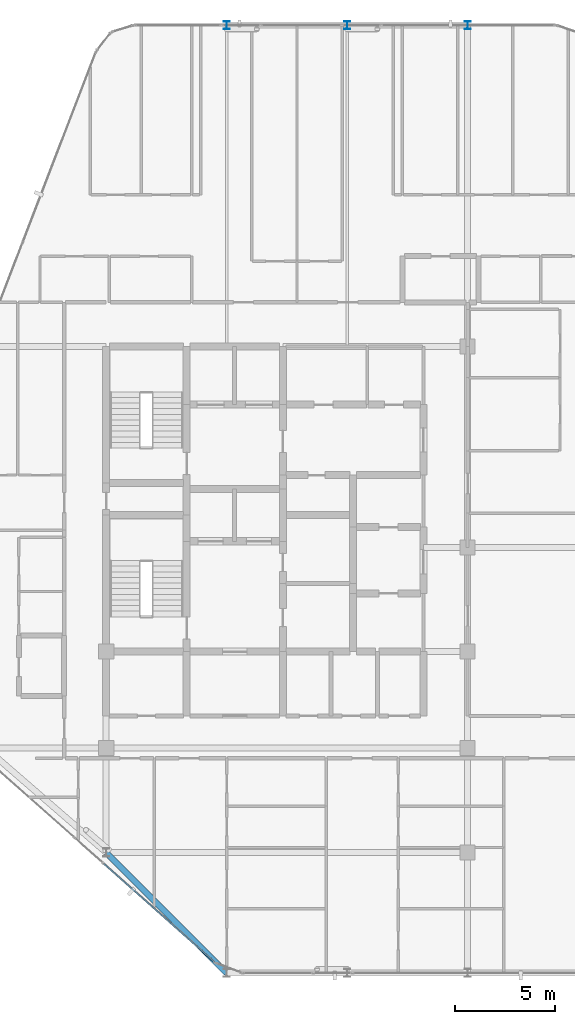
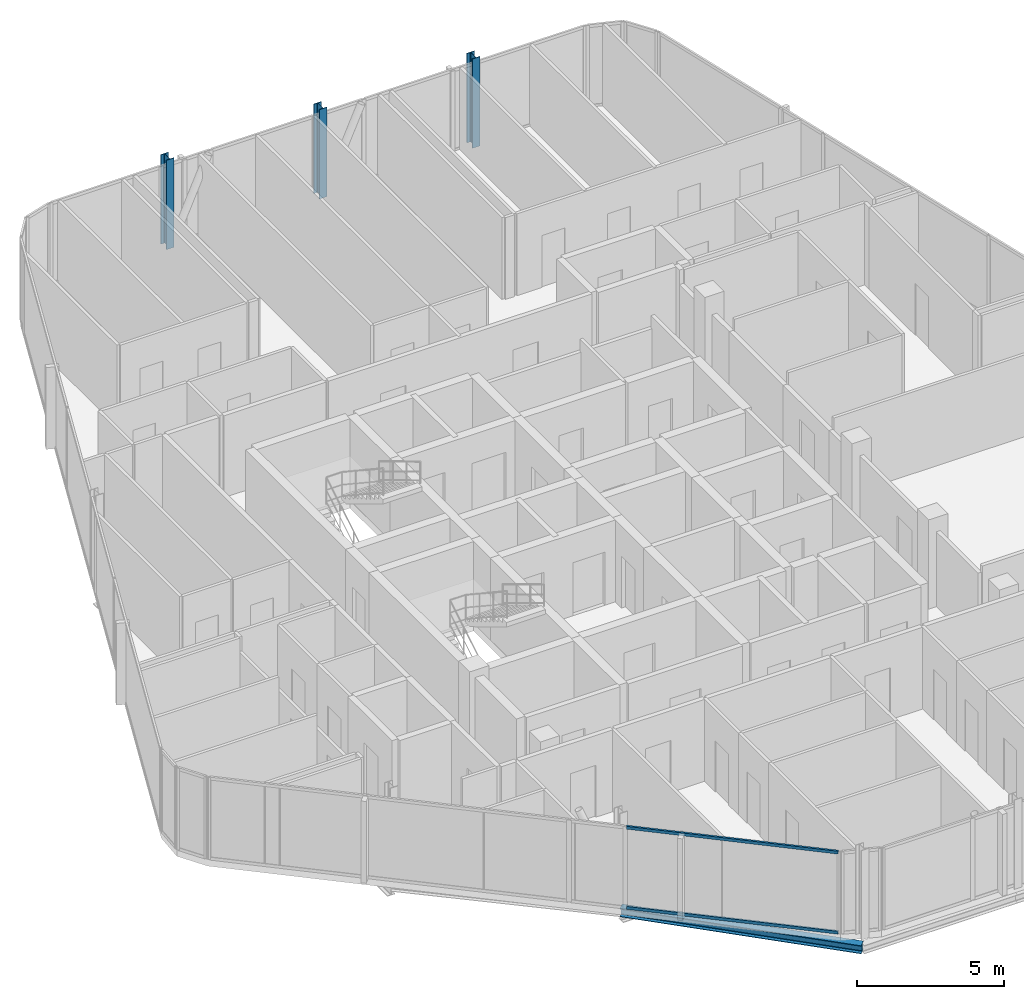
# One storey, part 2 of 28: 3 columns, 2 members, 1 beam, 1 element without a shape of its own.
"""IFC4 building model written with IfcOpenShell, lengths in metres."""

from ifc_helpers import new_model, si_unit, direction, frame, origin, origin_2d, place, context, subcontext, project, spatial, hollow_rectangle, i_section, extrude, material, layer, layer_set, material_profile, profile_set, type_object, element, aggregate, save


model = new_model("IFC4")

# Units and contexts
model_context = context("Model", 3, precision=1e-05, world=origin(), true_north=direction((0.0, 1.0)))
body_context = subcontext(model_context, "Body", "Model", "MODEL_VIEW")
ifc_project = project(units=[si_unit("LENGTHUNIT", "METRE"), si_unit("AREAUNIT", "SQUARE_METRE"), si_unit("VOLUMEUNIT", "CUBIC_METRE"), si_unit("PLANEANGLEUNIT", "RADIAN"), si_unit("MASSUNIT", "GRAM", prefix="KILO")], contexts=[model_context])

# Site, building, storey
site_placement = place(None, origin())
site = spatial("IfcSite", under=ifc_project, at=site_placement, CompositionType="ELEMENT")
building_placement = place(site_placement, origin())
building = spatial("IfcBuilding", under=site, at=building_placement, Name="Keshet Zoharim Tower", CompositionType="ELEMENT")
storey_placement = place(building_placement, frame((0.0, 0.0, 251.0)))
storey = spatial("IfcBuildingStorey", under=building, at=storey_placement, Name="L62", CompositionType="ELEMENT", Elevation=251.0)

# Columns
ifc_material_1 = material(Name="Steel S355", Category="steel")
ifc_material_profile_1 = material_profile(ifc_material_1, i_section(OverallWidth=0.300048828125, OverallDepth=0.39990234375, WebThickness=0.013427734375, FlangeThickness=0.02392578125, FilletRadius=0.027099609375, at=origin_2d()), Name="HEB400")
ifc_profile_set_1 = profile_set([ifc_material_profile_1], Name="Steel S355")
column_type = type_object("IfcColumnType", Name="COL-HEB400", PredefinedType="COLUMN", material=ifc_profile_set_1)
for number, where, z_axis, x_axis, name in (
    (1, (21.0, 53.89990234375, 0.0), (0.0, 0.0, 1.0), (1.0, 0.0, 0.0), "L62 Column 4L"),
    (2, (27.0, 53.89990234375, 0.0), (0.0, 0.0, 1.0), (1.0, 0.0, 0.0), "L62 Column 5L"),
    (3, (33.0, 53.89990234375, 0.0), (0.0, 0.0, 1.0), (1.0, 0.0, 0.0), "L62 Column 6L"),
):
    element("IfcColumn", number, at=place(storey_placement, frame(where, z_axis=z_axis, x_axis=x_axis)), inside=storey, type_object=column_type, Name=name, PredefinedType="COLUMN", context=body_context, shape_type="SweptSolid", body=[
        extrude(i_section(OverallWidth=0.300048828125, OverallDepth=0.39990234375, WebThickness=0.013427734375, FlangeThickness=0.02392578125, FilletRadius=0.027099609375, at=origin_2d()), origin(), (0.0, 0.0, 1.0), 3.699951171875),
    ])

# Beam
ifc_material_profile_2 = material_profile(ifc_material_1, i_section(OverallWidth=0.300048828125, OverallDepth=0.340087890625, WebThickness=0.011962890625, FlangeThickness=0.021484375, FilletRadius=0.027099609375, at=origin_2d()), Name="HEB340")
ifc_profile_set_2 = profile_set([ifc_material_profile_2], Name="Steel S355")
beam_type = type_object("IfcBeamType", Name="BM-SPN-HB340", PredefinedType="SPANDREL", material=ifc_profile_set_2)
beam_placement = place(storey_placement, frame((21.0, 6.699951171875, -0.47998046875), z_axis=(-0.707106781187, 0.707106781187, 0.0), x_axis=(-0.707106781187, -0.707106781187, 0.0)))
element("IfcBeam", 4, at=beam_placement, inside=storey, type_object=beam_type, Name="L62 Perimeter Spandrel Beam 01", PredefinedType="SPANDREL", context=body_context, shape_type="SweptSolid", body=[
    extrude(i_section(OverallWidth=0.300048828125, OverallDepth=0.340087890625, WebThickness=0.011962890625, FlangeThickness=0.021484375, FilletRadius=0.027099609375, at=origin_2d()), origin(), (0.0, 0.0, 1.0), 8.4853515625),
])

# Curtain wall, members
ifc_material_2 = material(Name="Aluminium 6063-T6", Category="aluminium")
ifc_layer = layer(ifc_material_2, 0.260009765625)
ifc_layer_set = layer_set([ifc_layer], Name="Aluminium 6063-T6")
curtain_wall_type = type_object("IfcCurtainWallType", Name="CW-SYS-06", PredefinedType="NOTDEFINED", material=ifc_layer_set)
curtain_wall_placement = place(storey_placement, origin())
curtain_wall = element("IfcCurtainWall", 5, at=curtain_wall_placement, inside=storey, type_object=curtain_wall_type, Name="L62 Unitised Curtain Wall 16", PredefinedType="NOTDEFINED")
ifc_material_profile_3 = material_profile(ifc_material_2, hollow_rectangle(XDim=0.074951171875, YDim=0.1201171875, WallThickness=0.00390625, at=origin_2d()), Name="TRN-75x120")
ifc_profile_set_3 = profile_set([ifc_material_profile_3], Name="Aluminium 6063-T6")
member_type = type_object("IfcMemberType", Name="CWT-T12", PredefinedType="USERDEFINED", material=ifc_profile_set_3)
member_1_placement = place(storey_placement, frame((20.379638671875, 7.25146484375, 0.034912109375), z_axis=(-0.747412985939, 0.664359713145, 0.0), x_axis=(-0.664359713145, -0.747412985939, 0.0)))
member_1 = element("IfcMember", 6, at=member_1_placement, type_object=member_type, Name="CW-06 transom 1.1", ObjectType="TRANSOM", PredefinedType="USERDEFINED", context=body_context, shape_type="SweptSolid", body=[
    extrude(hollow_rectangle(XDim=0.074951171875, YDim=0.1201171875, WallThickness=0.00390625, at=origin_2d()), origin(), (0.0, 0.0, 1.0), 7.345947265625),
])
member_2_placement = place(storey_placement, frame((20.379638671875, 7.25146484375, 3.35498046875), z_axis=(-0.747412985939, 0.664359713145, 0.0), x_axis=(-0.664359713145, -0.747412985939, 0.0)))
member_2 = element("IfcMember", 7, at=member_2_placement, type_object=member_type, Name="CW-06 transom 1.2", ObjectType="TRANSOM", PredefinedType="USERDEFINED", context=body_context, shape_type="SweptSolid", body=[
    extrude(hollow_rectangle(XDim=0.074951171875, YDim=0.1201171875, WallThickness=0.00390625, at=origin_2d()), origin(), (0.0, 0.0, 1.0), 7.345947265625),
])
aggregate(curtain_wall, [member_1, member_2])

save(model, "model.ifc")
